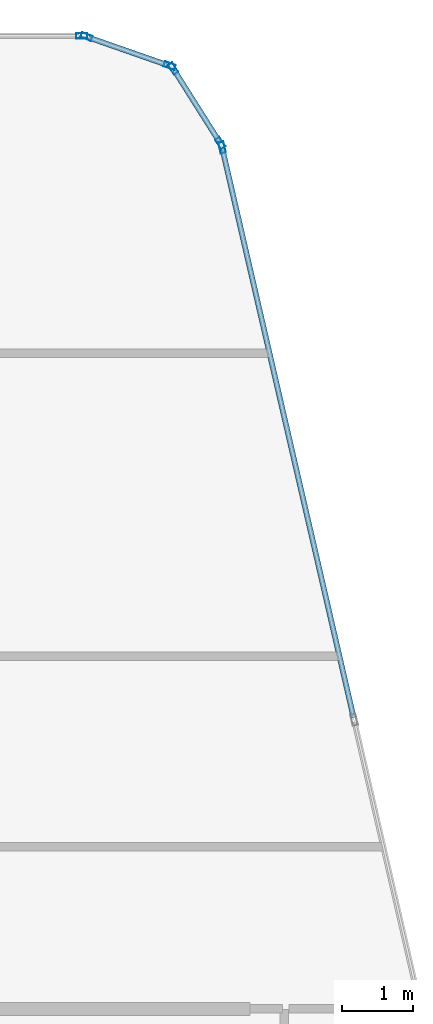
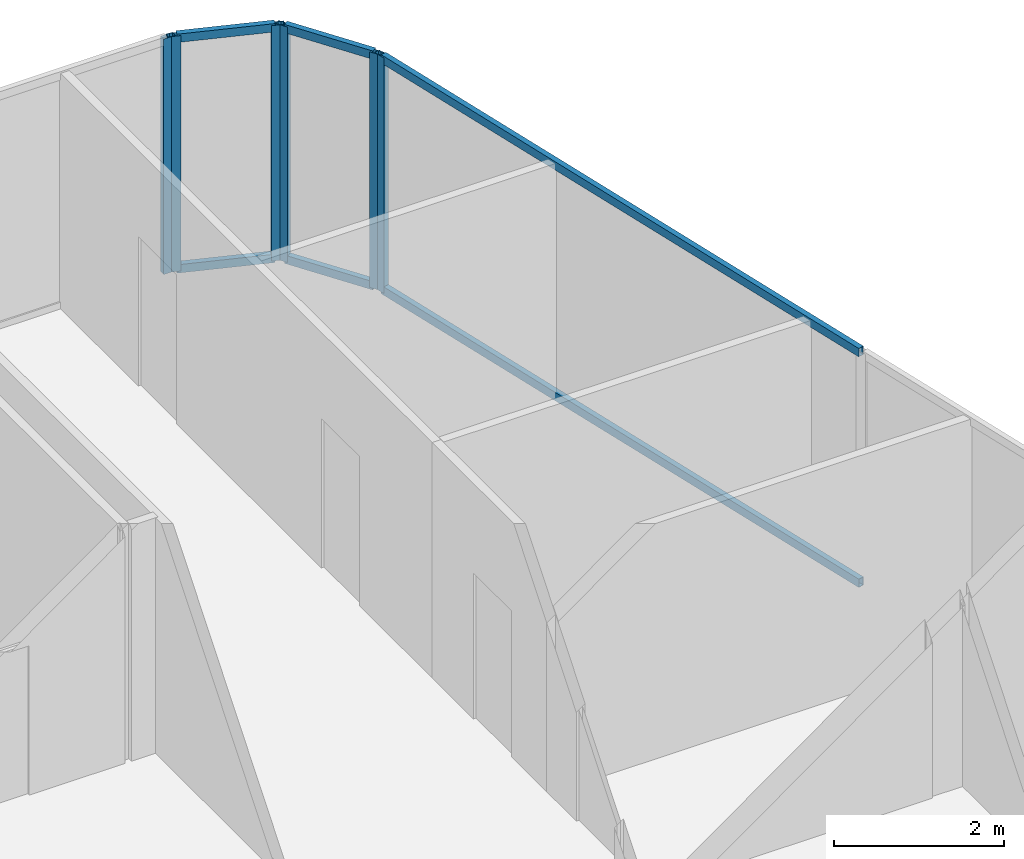
# One storey, part 21 of 29: 12 members, 4 elements without a shape of their own.
"""IFC4 building model written with IfcOpenShell, lengths in metres."""

from ifc_helpers import new_model, si_unit, direction, frame, origin, origin_2d, place, context, subcontext, project, spatial, hollow_rectangle, extrude, material, layer, layer_set, material_profile, profile_set, type_object, element, aggregate, save


model = new_model("IFC4")

# Units and contexts
model_context = context("Model", 3, precision=1e-05, world=origin(), true_north=direction((0.0, 1.0)))
body_context = subcontext(model_context, "Body", "Model", "MODEL_VIEW")
ifc_project = project(units=[si_unit("LENGTHUNIT", "METRE"), si_unit("AREAUNIT", "SQUARE_METRE"), si_unit("VOLUMEUNIT", "CUBIC_METRE"), si_unit("PLANEANGLEUNIT", "RADIAN"), si_unit("MASSUNIT", "GRAM", prefix="KILO")], contexts=[model_context])

# Site, building, storey
site_placement = place(None, origin())
site = spatial("IfcSite", under=ifc_project, at=site_placement, CompositionType="ELEMENT")
building_placement = place(site_placement, origin())
building = spatial("IfcBuilding", under=site, at=building_placement, Name="Keshet Zoharim Tower", CompositionType="ELEMENT")
storey_placement = place(building_placement, frame((0.0, 0.0, 176.5)))
storey = spatial("IfcBuildingStorey", under=building, at=storey_placement, Name="L43", CompositionType="ELEMENT", Elevation=176.5)

# Curtain wall, member
ifc_material = material(Name="Aluminium 6063-T6", Category="aluminium")
ifc_layer = layer(ifc_material, 0.139892578125)
ifc_layer_set = layer_set([ifc_layer], Name="Aluminium 6063-T6")
curtain_wall_type = type_object("IfcCurtainWallType", Name="CW-SYS-05", PredefinedType="NOTDEFINED", material=ifc_layer_set)
curtain_wall_1_placement = place(storey_placement, origin())
curtain_wall_1 = element("IfcCurtainWall", 1, at=curtain_wall_1_placement, inside=storey, type_object=curtain_wall_type, Name="L43 Unitised Curtain Wall 16 Part 3", PredefinedType="NOTDEFINED")
ifc_material_profile_1 = material_profile(ifc_material, hollow_rectangle(XDim=0.074951171875, YDim=0.159912109375, WallThickness=0.00390625, at=origin_2d()), Name="MUL-75x160")
ifc_profile_set_1 = profile_set([ifc_material_profile_1], Name="Aluminium 6063-T6")
member_type_1 = type_object("IfcMemberType", Name="CWM-M15", PredefinedType="MULLION", material=ifc_profile_set_1)
member_1_placement = place(storey_placement, frame((37.3740234375, 53.89990234375, 0.0), z_axis=(0.0, 0.0, 1.0), x_axis=(0.0, 1.0, 0.0)))
member_1 = element("IfcMember", 2, at=member_1_placement, type_object=member_type_1, Name="CW-05 mullion 3", PredefinedType="MULLION", context=body_context, shape_type="SweptSolid", body=[
    extrude(hollow_rectangle(XDim=0.074951171875, YDim=0.159912109375, WallThickness=0.00390625, at=origin_2d()), origin(), (0.0, 0.0, 1.0), 3.389892578125),
])
aggregate(curtain_wall_1, [member_1])

# Curtain wall, members
curtain_wall_2_placement = place(storey_placement, origin())
curtain_wall_2 = element("IfcCurtainWall", 3, at=curtain_wall_2_placement, inside=storey, type_object=curtain_wall_type, Name="L43 Unitised Curtain Wall 17", PredefinedType="NOTDEFINED")
member_2_placement = place(storey_placement, frame((37.442138671875, 53.888427734375, 0.0), z_axis=(0.0, 0.0, 1.0), x_axis=(0.329843743636, 0.944035542119, 0.0)))
member_2 = element("IfcMember", 4, at=member_2_placement, type_object=member_type_1, Name="CW-05 mullion 1", PredefinedType="MULLION", context=body_context, shape_type="SweptSolid", body=[
    extrude(hollow_rectangle(XDim=0.074951171875, YDim=0.159912109375, WallThickness=0.00390625, at=origin_2d()), origin(), (0.0, 0.0, 1.0), 3.389892578125),
])
member_3_placement = place(storey_placement, frame((38.620849609375, 53.4765625, 0.0), z_axis=(0.0, 0.0, 1.0), x_axis=(0.329843743636, 0.944035542119, 0.0)))
member_3 = element("IfcMember", 5, at=member_3_placement, type_object=member_type_1, Name="CW-05 mullion 2", PredefinedType="MULLION", context=body_context, shape_type="SweptSolid", body=[
    extrude(hollow_rectangle(XDim=0.074951171875, YDim=0.159912109375, WallThickness=0.00390625, at=origin_2d()), origin(), (0.0, 0.0, 1.0), 3.389892578125),
])

curtain_wall_3_placement = place(storey_placement, origin())
curtain_wall_3 = element("IfcCurtainWall", 6, at=curtain_wall_3_placement, inside=storey, type_object=curtain_wall_type, Name="L43 Unitised Curtain Wall 18", PredefinedType="NOTDEFINED")
member_4_placement = place(storey_placement, frame((38.672607421875, 53.435302734375, 0.0), z_axis=(0.0, 0.0, 1.0), x_axis=(0.845560976183, 0.533878858502, 0.0)))
member_4 = element("IfcMember", 7, at=member_4_placement, type_object=member_type_1, Name="CW-05 mullion 1", PredefinedType="MULLION", context=body_context, shape_type="SweptSolid", body=[
    extrude(hollow_rectangle(XDim=0.074951171875, YDim=0.159912109375, WallThickness=0.00390625, at=origin_2d()), origin(), (0.0, 0.0, 1.0), 3.389892578125),
])
member_5_placement = place(storey_placement, frame((39.33935546875, 52.379638671875, 0.0), z_axis=(0.0, 0.0, 1.0), x_axis=(0.845560976183, 0.533878858502, 0.0)))
member_5 = element("IfcMember", 8, at=member_5_placement, type_object=member_type_1, Name="CW-05 mullion 2", PredefinedType="MULLION", context=body_context, shape_type="SweptSolid", body=[
    extrude(hollow_rectangle(XDim=0.074951171875, YDim=0.159912109375, WallThickness=0.00390625, at=origin_2d()), origin(), (0.0, 0.0, 1.0), 3.389892578125),
])

# Curtain wall, member
curtain_wall_4_placement = place(storey_placement, origin())
curtain_wall_4 = element("IfcCurtainWall", 9, at=curtain_wall_4_placement, inside=storey, type_object=curtain_wall_type, Name="L43 Unitised Curtain Wall 19", PredefinedType="NOTDEFINED")
member_6_placement = place(storey_placement, frame((39.365966796875, 52.31591796875, 0.0), z_axis=(0.0, 0.0, 1.0), x_axis=(0.974393882313, 0.224847864369, 0.0)))
member_6 = element("IfcMember", 10, at=member_6_placement, type_object=member_type_1, Name="CW-05 mullion 1", PredefinedType="MULLION", context=body_context, shape_type="SweptSolid", body=[
    extrude(hollow_rectangle(XDim=0.074951171875, YDim=0.159912109375, WallThickness=0.00390625, at=origin_2d()), origin(), (0.0, 0.0, 1.0), 3.389892578125),
])

# Member
ifc_material_profile_2 = material_profile(ifc_material, hollow_rectangle(XDim=0.074951171875, YDim=0.1201171875, WallThickness=0.00390625, at=origin_2d()), Name="TRN-75x120")
ifc_profile_set_2 = profile_set([ifc_material_profile_2], Name="Aluminium 6063-T6")
member_type_2 = type_object("IfcMemberType", Name="CWT-T12", PredefinedType="USERDEFINED", material=ifc_profile_set_2)
member_7_placement = place(storey_placement, frame((37.47509765625, 53.876953125, 0.034912109375), z_axis=(0.944006789648, -0.329926023675, 0.0), x_axis=(0.329926023675, 0.944006789648, 0.0)))
member_7 = element("IfcMember", 11, at=member_7_placement, type_object=member_type_2, Name="CW-05 transom 1.1", ObjectType="TRANSOM", PredefinedType="USERDEFINED", context=body_context, shape_type="SweptSolid", body=[
    extrude(hollow_rectangle(XDim=0.074951171875, YDim=0.1201171875, WallThickness=0.00390625, at=origin_2d()), origin(), (0.0, 0.0, 1.0), 1.1787109375),
])

member_8_placement = place(storey_placement, frame((37.47509765625, 53.876953125, 3.35498046875), z_axis=(0.944006789648, -0.329926023675, 0.0), x_axis=(0.329926023675, 0.944006789648, 0.0)))
member_8 = element("IfcMember", 12, at=member_8_placement, type_object=member_type_2, Name="CW-05 transom 1.2", ObjectType="TRANSOM", PredefinedType="USERDEFINED", context=body_context, shape_type="SweptSolid", body=[
    extrude(hollow_rectangle(XDim=0.074951171875, YDim=0.1201171875, WallThickness=0.00390625, at=origin_2d()), origin(), (0.0, 0.0, 1.0), 1.1787109375),
])

aggregate(curtain_wall_2, [member_2, member_3, member_7, member_8])

member_9_placement = place(storey_placement, frame((38.69140625, 53.40576171875, 0.034912109375), z_axis=(0.53382931122, -0.845592257819, 0.0), x_axis=(0.845592257819, 0.53382931122, 0.0)))
member_9 = element("IfcMember", 13, at=member_9_placement, type_object=member_type_2, Name="CW-05 transom 1.1", ObjectType="TRANSOM", PredefinedType="USERDEFINED", context=body_context, shape_type="SweptSolid", body=[
    extrude(hollow_rectangle(XDim=0.074951171875, YDim=0.1201171875, WallThickness=0.00390625, at=origin_2d()), origin(), (0.0, 0.0, 1.0), 1.178466796875),
])

member_10_placement = place(storey_placement, frame((38.69140625, 53.40576171875, 3.35498046875), z_axis=(0.53382931122, -0.845592257819, 0.0), x_axis=(0.845592257819, 0.53382931122, 0.0)))
member_10 = element("IfcMember", 14, at=member_10_placement, type_object=member_type_2, Name="CW-05 transom 1.2", ObjectType="TRANSOM", PredefinedType="USERDEFINED", context=body_context, shape_type="SweptSolid", body=[
    extrude(hollow_rectangle(XDim=0.074951171875, YDim=0.1201171875, WallThickness=0.00390625, at=origin_2d()), origin(), (0.0, 0.0, 1.0), 1.178466796875),
])

aggregate(curtain_wall_3, [member_4, member_5, member_9, member_10])

member_11_placement = place(storey_placement, frame((39.373779296875, 52.28173828125, 0.034912109375), z_axis=(0.224835758738, -0.974396675688, 0.0), x_axis=(0.974396675688, 0.224835758738, 0.0)))
member_11 = element("IfcMember", 15, at=member_11_placement, type_object=member_type_2, Name="CW-05 transom 1.1", ObjectType="TRANSOM", PredefinedType="USERDEFINED", context=body_context, shape_type="SweptSolid", body=[
    extrude(hollow_rectangle(XDim=0.074951171875, YDim=0.1201171875, WallThickness=0.00390625, at=origin_2d()), origin(), (0.0, 0.0, 1.0), 8.259033203125),
])

member_12_placement = place(storey_placement, frame((39.373779296875, 52.28173828125, 3.35498046875), z_axis=(0.224835758738, -0.974396675688, 0.0), x_axis=(0.974396675688, 0.224835758738, 0.0)))
member_12 = element("IfcMember", 16, at=member_12_placement, type_object=member_type_2, Name="CW-05 transom 1.2", ObjectType="TRANSOM", PredefinedType="USERDEFINED", context=body_context, shape_type="SweptSolid", body=[
    extrude(hollow_rectangle(XDim=0.074951171875, YDim=0.1201171875, WallThickness=0.00390625, at=origin_2d()), origin(), (0.0, 0.0, 1.0), 8.259033203125),
])

aggregate(curtain_wall_4, [member_6, member_11, member_12])

save(model, "model.ifc")
